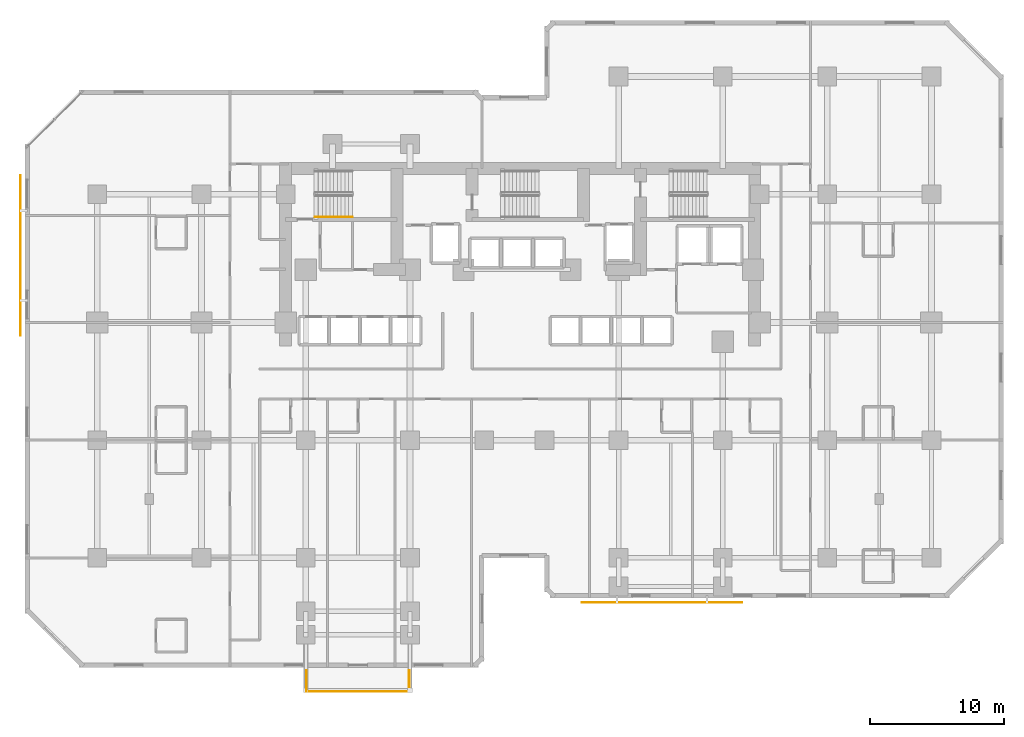
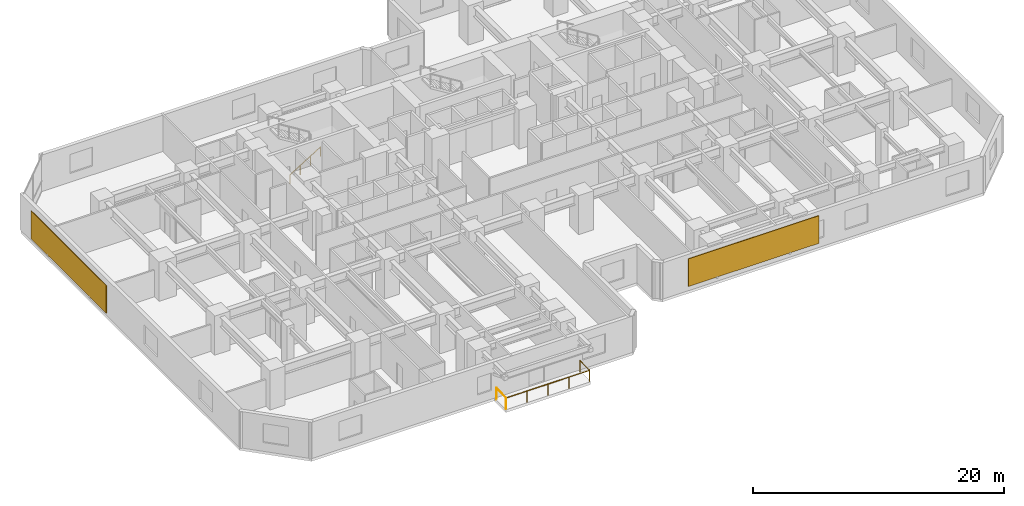
# One storey, part 11 of 12: 3 railings, 2 shading devices.
"""IFC4 building model written with IfcOpenShell, lengths in metres."""

from ifc_helpers import new_model, si_unit, direction, frame, origin, origin_2d, place, context, subcontext, project, spatial, rectangle, circle, extrude, material, layer, layer_set, type_object, element, save


model = new_model("IFC4")

# Units and contexts
model_context = context("Model", 3, precision=1e-05, world=origin(), true_north=direction((0.0, 1.0)))
body_context = subcontext(model_context, "Body", "Model", "MODEL_VIEW")
ifc_project = project(units=[si_unit("LENGTHUNIT", "METRE"), si_unit("AREAUNIT", "SQUARE_METRE"), si_unit("VOLUMEUNIT", "CUBIC_METRE"), si_unit("PLANEANGLEUNIT", "RADIAN"), si_unit("MASSUNIT", "GRAM", prefix="KILO")], contexts=[model_context])

# Site, building, storey
site_placement = place(None, origin())
site = spatial("IfcSite", under=ifc_project, at=site_placement, CompositionType="ELEMENT")
building_placement = place(site_placement, origin())
building = spatial("IfcBuilding", under=site, at=building_placement, Name="Kestravale Grand Hotel", CompositionType="ELEMENT")
storey_placement = place(building_placement, frame((0.0, 0.0, 48.800048828125)))
storey = spatial("IfcBuildingStorey", under=building, at=storey_placement, Name="L11", CompositionType="ELEMENT", Elevation=48.800048828125)

# Railings
ifc_material_1 = material(Name="Champagne-bronze stainless steel and laminated glass guard", Category="steel")
railing_type_1 = type_object("IfcRailingType", Name="RL-EXT-1100", PredefinedType="GUARDRAIL", material=ifc_material_1)
railing_1_placement = place(storey_placement, frame((23.4599609375, 1.2099609375, 0.0)))
element("IfcRailing", 1, at=railing_1_placement, inside=storey, type_object=railing_type_1, Name="L11 outdoor terrace guard 1", PredefinedType="GUARDRAIL", context=body_context, shape_type="SweptSolid", body=[
    extrude(circle(Radius=0.02392578125, at=origin_2d()), frame((0.0, 0.0, 1.09619140625), z_axis=(0.0, 1.0, 0.0), x_axis=(-1.0, 0.0, 0.0)), (0.0, 0.0, 1.0), 1.570068359375),
    extrude(circle(Radius=0.02099609375, at=origin_2d()), origin(), (0.0, 0.0, 1.0), 1.072021484375),
    extrude(circle(Radius=0.02099609375, at=origin_2d()), frame((0.0, 1.570068359375, 0.0)), (0.0, 0.0, 1.0), 1.072021484375),
])
railing_2_placement = place(storey_placement, frame((31.139892578125, 2.780029296875, 0.0)))
element("IfcRailing", 2, at=railing_2_placement, inside=storey, type_object=railing_type_1, Name="L11 outdoor terrace guard 2", PredefinedType="GUARDRAIL", context=body_context, shape_type="SweptSolid", body=[
    extrude(circle(Radius=0.02392578125, at=origin_2d()), frame((0.0, 0.0, 1.09619140625), z_axis=(0.0, -1.0, 0.0), x_axis=(1.0, 0.0, 0.0)), (0.0, 0.0, 1.0), 1.570068359375),
    extrude(circle(Radius=0.02392578125, at=origin_2d()), frame((0.0, -1.570068359375, 1.09619140625), z_axis=(-1.0, 0.0, 0.0), x_axis=(0.0, -1.0, 0.0)), (0.0, 0.0, 1.0), 7.679931640625),
    extrude(circle(Radius=0.02099609375, at=origin_2d()), origin(), (0.0, 0.0, 1.0), 1.072021484375),
    extrude(circle(Radius=0.02099609375, at=origin_2d()), frame((0.0, -1.570068359375, 0.0)), (0.0, 0.0, 1.0), 1.072021484375),
    extrude(circle(Radius=0.02099609375, at=origin_2d()), frame((-1.919921875, -1.570068359375, 0.0)), (0.0, 0.0, 1.0), 1.072021484375),
    extrude(circle(Radius=0.02099609375, at=origin_2d()), frame((-3.83984375, -1.570068359375, 0.0)), (0.0, 0.0, 1.0), 1.072021484375),
    extrude(circle(Radius=0.02099609375, at=origin_2d()), frame((-5.760009765625, -1.570068359375, 0.0)), (0.0, 0.0, 1.0), 1.072021484375),
    extrude(circle(Radius=0.02099609375, at=origin_2d()), frame((-7.679931640625, -1.570068359375, 0.0)), (0.0, 0.0, 1.0), 1.072021484375),
])
ifc_material_2 = material(Name="Brushed stainless steel wall handrail", Category="steel")
railing_type_2 = type_object("IfcRailingType", Name="RL-ST-HND900", PredefinedType="HANDRAIL", material=ifc_material_2)
railing_3_placement = place(storey_placement, frame((24.080078125, 36.699951171875, 0.172607421875)))
element("IfcRailing", 3, at=railing_3_placement, inside=storey, type_object=railing_type_2, Name="L11 ST-1 stair handrail 1", PredefinedType="HANDRAIL", context=body_context, shape_type="SweptSolid", body=[
    extrude(circle(Radius=0.02392578125, at=origin_2d()), frame((0.0, 0.0, 0.8759765625), z_axis=(0.851069175582, 0.0, 0.525053576669), x_axis=(0.0, 1.0, 0.0)), (0.0, 0.0, 1.0), 3.289794921875),
    extrude(circle(Radius=0.02099609375, at=origin_2d()), origin(), (0.0, 0.0, 1.0), 0.851806640625),
    extrude(circle(Radius=0.02099609375, at=origin_2d()), frame((0.933349609375, 0.0, 0.57568359375)), (0.0, 0.0, 1.0), 0.851806640625),
    extrude(circle(Radius=0.02099609375, at=origin_2d()), frame((1.866455078125, 0.0, 1.151611328125)), (0.0, 0.0, 1.0), 0.851806640625),
    extrude(circle(Radius=0.02099609375, at=origin_2d()), frame((2.7998046875, 0.0, 1.727294921875)), (0.0, 0.0, 1.0), 0.851806640625),
])

# Shading devices
ifc_material_3 = material(Name="Perforated champagne-bronze aluminium and ceramic solar screen", Category="aluminium")
ifc_layer = layer(ifc_material_3, 0.06494140625)
ifc_layer_set = layer_set([ifc_layer], Name="SHD-SCR-CHEV")
shading_device_type = type_object("IfcShadingDeviceType", Name="SHD-SCR-CHEV", PredefinedType="USERDEFINED", material=ifc_layer_set)
for number, where, z_axis, x_axis, name in (
    (4, (50.050048828125, 7.860107421875, 0.699951171875), (0.0, 0.0, 1.0), (1.0, 0.0, 0.0), "L11 Perforated bronze ceramic chevron solar screen SCR-L11-07"),
    (5, (2.06005859375, 33.800048828125, 0.699951171875), (0.0, 0.0, 1.0), (0.0, -1.0, 0.0), "L11 Perforated bronze ceramic chevron solar screen SCR-L11-19"),
):
    element("IfcShadingDevice", number, at=place(storey_placement, frame(where, z_axis=z_axis, x_axis=x_axis)), inside=storey, type_object=shading_device_type, Name=name, ObjectType="SCREEN", PredefinedType="USERDEFINED", context=body_context, shape_type="SweptSolid", body=[
        extrude(rectangle(XDim=12.0, YDim=0.06494140625, at=origin_2d()), origin(), (0.0, 0.0, 1.0), 2.68994140625),
    ])

save(model, "model.ifc")
